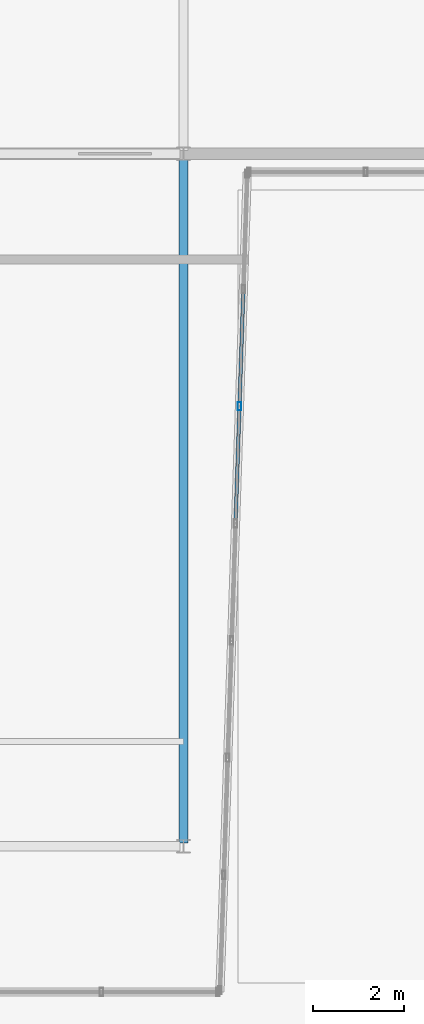
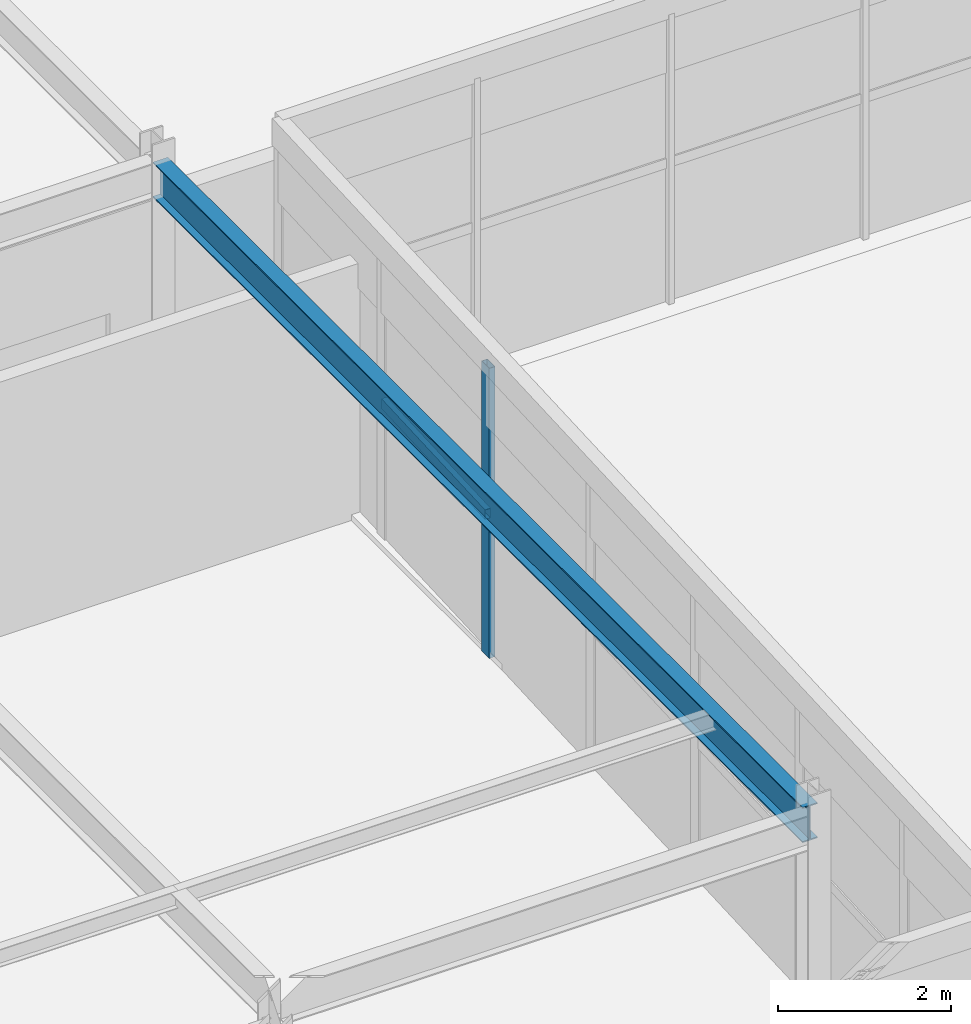
# One storey, part 8 of 37: 3 members, 1 beam, 1 element without a shape of its own.
"""IFC4 building model written with IfcOpenShell, lengths in metres."""

from ifc_helpers import new_model, si_unit, direction, frame, origin, origin_2d, place, context, subcontext, project, spatial, hollow_rectangle, i_section, extrude, source, transform, mapped, material, material_profile, profile_set, type_object, element, aggregate, save


model = new_model("IFC4")

# Units and contexts
model_context = context("Model", 3, precision=1e-05, world=origin(), true_north=direction((0.0, 1.0)))
body_context = subcontext(model_context, "Body", "Model", "MODEL_VIEW")
ifc_project = project(units=[si_unit("LENGTHUNIT", "METRE"), si_unit("AREAUNIT", "SQUARE_METRE"), si_unit("VOLUMEUNIT", "CUBIC_METRE"), si_unit("PLANEANGLEUNIT", "RADIAN"), si_unit("MASSUNIT", "GRAM", prefix="KILO")], contexts=[model_context])

# Site, building, storey
site_placement = place(None, origin())
site = spatial("IfcSite", under=ifc_project, at=site_placement, CompositionType="ELEMENT")
building_placement = place(site_placement, origin())
building = spatial("IfcBuilding", under=site, at=building_placement, Name="Trelvane Seafront Commons", CompositionType="ELEMENT")
storey_placement = place(building_placement, frame((0.0, 0.0, 303.5)))
storey = spatial("IfcBuildingStorey", under=building, at=storey_placement, Name="L79", CompositionType="ELEMENT", Elevation=303.5)

# Beam
ifc_material_1 = material(Name="Steel SM355 (S355)", Category="steel")
ifc_material_profile_1 = material_profile(ifc_material_1, i_section(OverallWidth=0.199951171875, OverallDepth=0.5, WebThickness=0.010009765625, FlangeThickness=0.01611328125, at=origin_2d()), Name="H-500x200x10x16")
ifc_profile_set_1 = profile_set([ifc_material_profile_1], Name="Steel SM355 (S355)")
beam_type = type_object("IfcBeamType", Name="STR-BM-H500", PredefinedType="BEAM", material=ifc_profile_set_1)
shared_shape_1 = source(origin(), body_context, "Body", "SweptSolid", [
    extrude(i_section(OverallWidth=0.199951171875, OverallDepth=0.5, WebThickness=0.010009765625, FlangeThickness=0.01611328125, at=origin_2d()), origin(), (0.0, 0.0, 1.0), 15.050048828125),
])
beam_placement = place(storey_placement, frame((30.60009765625, 18.27490234375, 3.85009765625), z_axis=(0.0, 1.0, 0.0), x_axis=(-1.0, 0.0, 0.0)))
element("IfcBeam", 1, at=beam_placement, inside=storey, type_object=beam_type, Name="L79 Primary Girder G-28", PredefinedType="BEAM", context=body_context, shape_type="MappedRepresentation", body=[
    mapped(shared_shape_1, transform((0.0, 0.0, 0.0), x_axis=(1.0, 0.0, 0.0), y_axis=(0.0, 1.0, 0.0), z_axis=(0.0, 0.0, 1.0), scale=1.0)),
])

# Curtain wall, members
ifc_material_2 = material(Name="Anodised pale-silver aluminium", Category="aluminium")
curtain_wall_type = type_object("IfcCurtainWallType", Name="ARCH-CW6-CROWN", PredefinedType="NOTDEFINED", material=ifc_material_2)
curtain_wall_placement = place(storey_placement, origin())
curtain_wall = element("IfcCurtainWall", 2, at=curtain_wall_placement, inside=storey, type_object=curtain_wall_type, Name="CW-L79-0134", PredefinedType="NOTDEFINED")
ifc_material_profile_2 = material_profile(ifc_material_2, hollow_rectangle(XDim=0.080078125, YDim=0.179931640625, WallThickness=0.00439453125, at=origin_2d()), Name="MULL-80x180x4.5")
ifc_profile_set_2 = profile_set([ifc_material_profile_2], Name="Anodised pale-silver aluminium")
member_type_1 = type_object("IfcMemberType", Name="ARCH-CW-MULL-180", PredefinedType="MULLION", material=ifc_profile_set_2)
shared_shape_2 = source(origin(), body_context, "Body", "SweptSolid", [
    extrude(hollow_rectangle(XDim=0.080078125, YDim=0.179931640625, WallThickness=0.00439453125, at=origin_2d()), origin(), (0.0, 0.0, 1.0), 4.10009765625),
])
member_1_placement = place(storey_placement, frame((31.82861328125, 27.857177734375, 0.0), z_axis=(0.0, 0.0, 1.0), x_axis=(1.0, 0.0, 0.0)))
member_1 = element("IfcMember", 3, at=member_1_placement, type_object=member_type_1, Name="CW-L79-0134-M02", PredefinedType="MULLION", context=body_context, shape_type="MappedRepresentation", body=[
    mapped(shared_shape_2, transform((0.0, 0.0, 0.0), x_axis=(1.0, 0.0, 0.0), y_axis=(0.0, 1.0, 0.0), z_axis=(0.0, 0.0, 1.0), scale=1.0)),
])
ifc_material_profile_3 = material_profile(ifc_material_2, hollow_rectangle(XDim=0.074951171875, YDim=0.139892578125, WallThickness=0.00390625, at=origin_2d()), Name="TRAN-75x140x4")
ifc_profile_set_3 = profile_set([ifc_material_profile_3], Name="Anodised pale-silver aluminium")
member_type_2 = type_object("IfcMemberType", Name="ARCH-CW-TRAN-140", PredefinedType="USERDEFINED", material=ifc_profile_set_3)
shared_shape_3 = source(origin(), body_context, "Body", "SweptSolid", [
    extrude(hollow_rectangle(XDim=0.074951171875, YDim=0.139892578125, WallThickness=0.00390625, at=origin_2d()), origin(), (0.0, 0.0, 1.0), 2.548828125),
])
member_2_placement = place(storey_placement, frame((31.913818359375, 30.41650390625, 1.968017578125), z_axis=(-0.033238285133, -0.999447455548, 0.0), x_axis=(0.999447455548, -0.033238285133, 0.0)))
member_2 = element("IfcMember", 4, at=member_2_placement, type_object=member_type_2, Name="CW-L79-0134-T01", ObjectType="TRANSOM", PredefinedType="USERDEFINED", context=body_context, shape_type="MappedRepresentation", body=[
    mapped(shared_shape_3, transform((0.0, 0.0, 0.0), x_axis=(1.0, 0.0, 0.0), y_axis=(0.0, 1.0, 0.0), z_axis=(0.0, 0.0, 1.0), scale=1.0)),
])
shared_shape_4 = source(origin(), body_context, "Body", "SweptSolid", [
    extrude(hollow_rectangle(XDim=0.074951171875, YDim=0.139892578125, WallThickness=0.00390625, at=origin_2d()), origin(), (0.0, 0.0, 1.0), 2.549072265625),
])
member_3_placement = place(storey_placement, frame((31.828125, 27.84521484375, 1.968017578125), z_axis=(-0.033235103382, -0.999447561357, 0.0), x_axis=(0.999447561357, -0.033235103382, 0.0)))
member_3 = element("IfcMember", 5, at=member_3_placement, type_object=member_type_2, Name="CW-L79-0134-T02", ObjectType="TRANSOM", PredefinedType="USERDEFINED", context=body_context, shape_type="MappedRepresentation", body=[
    mapped(shared_shape_4, transform((0.0, 0.0, 0.0), x_axis=(1.0, 0.0, 0.0), y_axis=(0.0, 1.0, 0.0), z_axis=(0.0, 0.0, 1.0), scale=1.0)),
])
aggregate(curtain_wall, [member_1, member_2, member_3])

save(model, "model.ifc")
